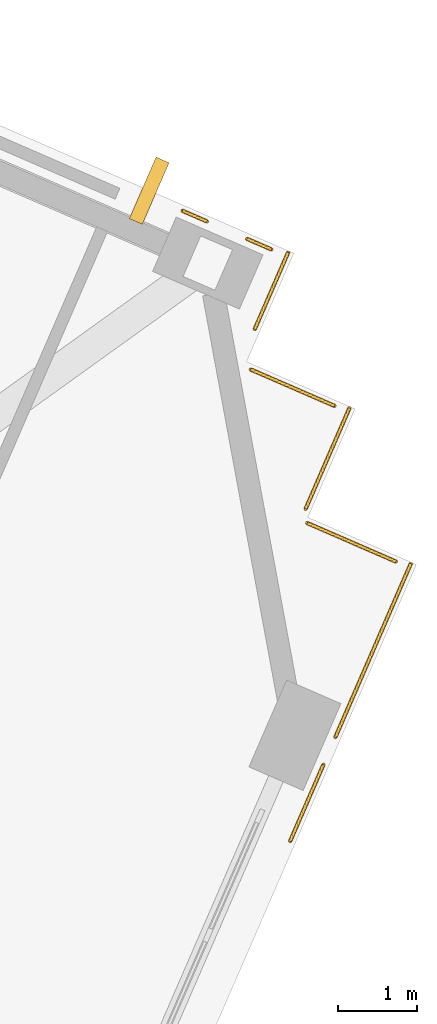
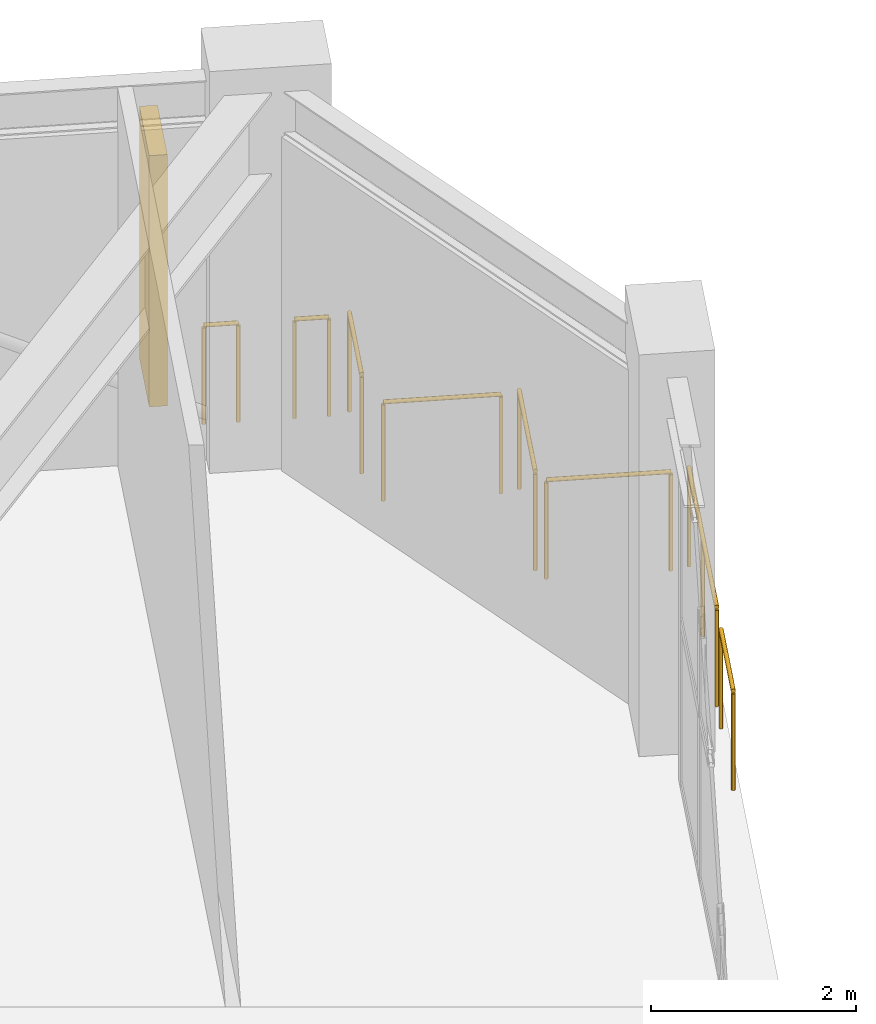
# One storey, part 16 of 16: 8 railings, 1 shading device.
"""IFC4 building model written with IfcOpenShell, lengths in metres."""

from ifc_helpers import new_model, si_unit, direction, frame, origin, origin_2d, place, context, subcontext, project, spatial, rectangle, circle, extrude, material, layer, layer_set, type_object, element, save


model = new_model("IFC4")

# Units and contexts
model_context = context("Model", 3, precision=1e-05, world=origin(), true_north=direction((0.0, 1.0)))
body_context = subcontext(model_context, "Body", "Model", "MODEL_VIEW")
ifc_project = project(units=[si_unit("LENGTHUNIT", "METRE"), si_unit("AREAUNIT", "SQUARE_METRE"), si_unit("VOLUMEUNIT", "CUBIC_METRE"), si_unit("PLANEANGLEUNIT", "RADIAN"), si_unit("MASSUNIT", "GRAM", prefix="KILO")], contexts=[model_context])

# Site, building, storey
site_placement = place(None, origin())
site = spatial("IfcSite", under=ifc_project, at=site_placement, CompositionType="ELEMENT")
building_placement = place(site_placement, origin())
building = spatial("IfcBuilding", under=site, at=building_placement, Name="Gaonmaruhae Medical Tower", CompositionType="ELEMENT")
storey_placement = place(building_placement, frame((0.0, 0.0, 333.39990234375)))
storey = spatial("IfcBuildingStorey", under=building, at=storey_placement, Name="L80", CompositionType="ELEMENT", Elevation=333.39990234375)

# Railings
ifc_material_1 = material(Name="Stainless steel 316L and laminated safety glass", Category="steel")
ifc_layer = layer(ifc_material_1, 0.080078125)
ifc_layer_set = layer_set([ifc_layer], Name="Stainless steel 316L and laminated safety glass")
railing_type = type_object("IfcRailingType", Name="GD-120 Outdoor Terrace Safety Glass & Steel Balustrade", PredefinedType="BALUSTRADE", material=ifc_layer_set)
railing_1_placement = place(storey_placement, frame((58.5693359375, 25.222412109375, 0.0)))
element("IfcRailing", 1, at=railing_1_placement, inside=storey, type_object=railing_type, Name="L80 Perimeter Slab Edge Safety Balustrade 10", PredefinedType="BALUSTRADE", context=body_context, shape_type="SweptSolid", body=[
    extrude(circle(Radius=0.02392578125, at=origin_2d()), frame((0.0, 0.0, 1.17578125), z_axis=(0.398810403906, 0.917033402738, 0.0), x_axis=(-0.917033402738, 0.398810403906, 0.0)), (0.0, 0.0, 1.0), 1.05908203125),
    extrude(circle(Radius=0.02099609375, at=origin_2d()), origin(), (0.0, 0.0, 1.0), 1.15185546875),
    extrude(circle(Radius=0.02099609375, at=origin_2d()), frame((0.42236328125, 0.97119140625, 0.0)), (0.0, 0.0, 1.0), 1.15185546875),
])
railing_2_placement = place(storey_placement, frame((59.14306640625, 26.54150390625, 0.0)))
element("IfcRailing", 2, at=railing_2_placement, inside=storey, type_object=railing_type, Name="L80 Perimeter Slab Edge Safety Balustrade 11", PredefinedType="BALUSTRADE", context=body_context, shape_type="SweptSolid", body=[
    extrude(circle(Radius=0.02392578125, at=origin_2d()), frame((0.0, 0.0, 1.17578125), z_axis=(0.398718665263, 0.917073293674, 0.0), x_axis=(-0.917073293674, 0.398718665263, 0.0)), (0.0, 0.0, 1.0), 2.397705078125),
    extrude(circle(Radius=0.02099609375, at=origin_2d()), origin(), (0.0, 0.0, 1.0), 1.15185546875),
    extrude(circle(Radius=0.02099609375, at=origin_2d()), frame((0.47802734375, 1.099609375, 0.0)), (0.0, 0.0, 1.0), 1.15185546875),
    extrude(circle(Radius=0.02099609375, at=origin_2d()), frame((0.9560546875, 2.198974609375, 0.0)), (0.0, 0.0, 1.0), 1.15185546875),
])
railing_3_placement = place(storey_placement, frame((59.910888671875, 28.767578125, 0.0)))
element("IfcRailing", 3, at=railing_3_placement, inside=storey, type_object=railing_type, Name="L80 Perimeter Slab Edge Safety Balustrade 12", PredefinedType="BALUSTRADE", context=body_context, shape_type="SweptSolid", body=[
    extrude(circle(Radius=0.02392578125, at=origin_2d()), frame((0.0, 0.0, 1.17578125), z_axis=(-0.917104858314, 0.398646057119, 0.0), x_axis=(-0.398646057119, -0.917104858314, 0.0)), (0.0, 0.0, 1.0), 1.226806640625),
    extrude(circle(Radius=0.02099609375, at=origin_2d()), origin(), (0.0, 0.0, 1.0), 1.15185546875),
    extrude(circle(Radius=0.02099609375, at=origin_2d()), frame((-1.125, 0.489013671875, 0.0)), (0.0, 0.0, 1.0), 1.15185546875),
])
railing_4_placement = place(storey_placement, frame((58.76611328125, 29.436279296875, 0.0)))
element("IfcRailing", 4, at=railing_4_placement, inside=storey, type_object=railing_type, Name="L80 Perimeter Slab Edge Safety Balustrade 13", PredefinedType="BALUSTRADE", context=body_context, shape_type="SweptSolid", body=[
    extrude(circle(Radius=0.02392578125, at=origin_2d()), frame((0.0, 0.0, 1.17578125), z_axis=(0.39863000178, 0.917111837063, 0.0), x_axis=(-0.917111837063, 0.39863000178, 0.0)), (0.0, 0.0, 1.0), 1.393310546875),
    extrude(circle(Radius=0.02099609375, at=origin_2d()), origin(), (0.0, 0.0, 1.0), 1.15185546875),
    extrude(circle(Radius=0.02099609375, at=origin_2d()), frame((0.555419921875, 1.27783203125, 0.0)), (0.0, 0.0, 1.0), 1.15185546875),
])
railing_5_placement = place(storey_placement, frame((59.133544921875, 30.7412109375, 0.0)))
element("IfcRailing", 5, at=railing_5_placement, inside=storey, type_object=railing_type, Name="L80 Perimeter Slab Edge Safety Balustrade 14", PredefinedType="BALUSTRADE", context=body_context, shape_type="SweptSolid", body=[
    extrude(circle(Radius=0.02392578125, at=origin_2d()), frame((0.0, 0.0, 1.17578125), z_axis=(-0.917053328112, 0.398764583931, 0.0), x_axis=(-0.398764583931, -0.917053328112, 0.0)), (0.0, 0.0, 1.0), 1.16015625),
    extrude(circle(Radius=0.02099609375, at=origin_2d()), origin(), (0.0, 0.0, 1.0), 1.15185546875),
    extrude(circle(Radius=0.02099609375, at=origin_2d()), frame((-1.06396484375, 0.462646484375, 0.0)), (0.0, 0.0, 1.0), 1.15185546875),
])
railing_6_placement = place(storey_placement, frame((58.121337890625, 31.7158203125, 0.0)))
element("IfcRailing", 6, at=railing_6_placement, inside=storey, type_object=railing_type, Name="L80 Perimeter Slab Edge Safety Balustrade 15", PredefinedType="BALUSTRADE", context=body_context, shape_type="SweptSolid", body=[
    extrude(circle(Radius=0.02392578125, at=origin_2d()), frame((0.0, 0.0, 1.17578125), z_axis=(0.398945085754, 0.91697481893, 0.0), x_axis=(-0.91697481893, 0.398945085754, 0.0)), (0.0, 0.0, 1.0), 1.059814453125),
    extrude(circle(Radius=0.02099609375, at=origin_2d()), origin(), (0.0, 0.0, 1.0), 1.15185546875),
    extrude(circle(Radius=0.02099609375, at=origin_2d()), frame((0.4228515625, 0.971923828125, 0.0)), (0.0, 0.0, 1.0), 1.15185546875),
])
for number, where, name in (
    (7, (58.334228515625, 32.724609375, 0.0), "L80 Perimeter Slab Edge Safety Balustrade 16"),
    (8, (57.515380859375, 33.08056640625, 0.0), "L80 Perimeter Slab Edge Safety Balustrade 17"),
):
    element("IfcRailing", number, at=place(storey_placement, frame(where)), inside=storey, type_object=railing_type, Name=name, PredefinedType="BALUSTRADE", context=body_context, shape_type="SweptSolid", body=[
        extrude(circle(Radius=0.02392578125, at=origin_2d()), frame((0.0, 0.0, 1.17578125), z_axis=(-0.917081518132, 0.398699748056, 0.0), x_axis=(-0.398699748056, -0.917081518132, 0.0)), (0.0, 0.0, 1.0), 0.338623046875),
        extrude(circle(Radius=0.02099609375, at=origin_2d()), origin(), (0.0, 0.0, 1.0), 1.15185546875),
        extrude(circle(Radius=0.02099609375, at=origin_2d()), frame((-0.310546875, 0.135009765625, 0.0)), (0.0, 0.0, 1.0), 1.15185546875),
    ])

# Shading device
ifc_material_2 = material(Name="Pigmented coral precast concrete C45/55", Category="concrete")
shading_device_type = type_object("IfcShadingDeviceType", Name="SD-FIN1 Tower Vertical Coral Precast Shading Fin", PredefinedType="USERDEFINED", material=ifc_material_2)
shading_device_placement = place(storey_placement, frame((56.782470703125, 33.47021484375, 0.49267578125), z_axis=(0.0, 0.0, 1.0), x_axis=(0.917060074385, -0.398749068925, 0.0)))
element("IfcShadingDevice", 9, at=shading_device_placement, inside=storey, type_object=shading_device_type, Name="L80 Vertical Coral Precast Shading Fin E01B", ObjectType="FIN", PredefinedType="USERDEFINED", context=body_context, shape_type="SweptSolid", body=[
    extrude(rectangle(XDim=0.179931640625, YDim=0.85009765625, at=origin_2d()), origin(), (0.0, 0.0, 1.0), 3.0),
])

save(model, "model.ifc")
